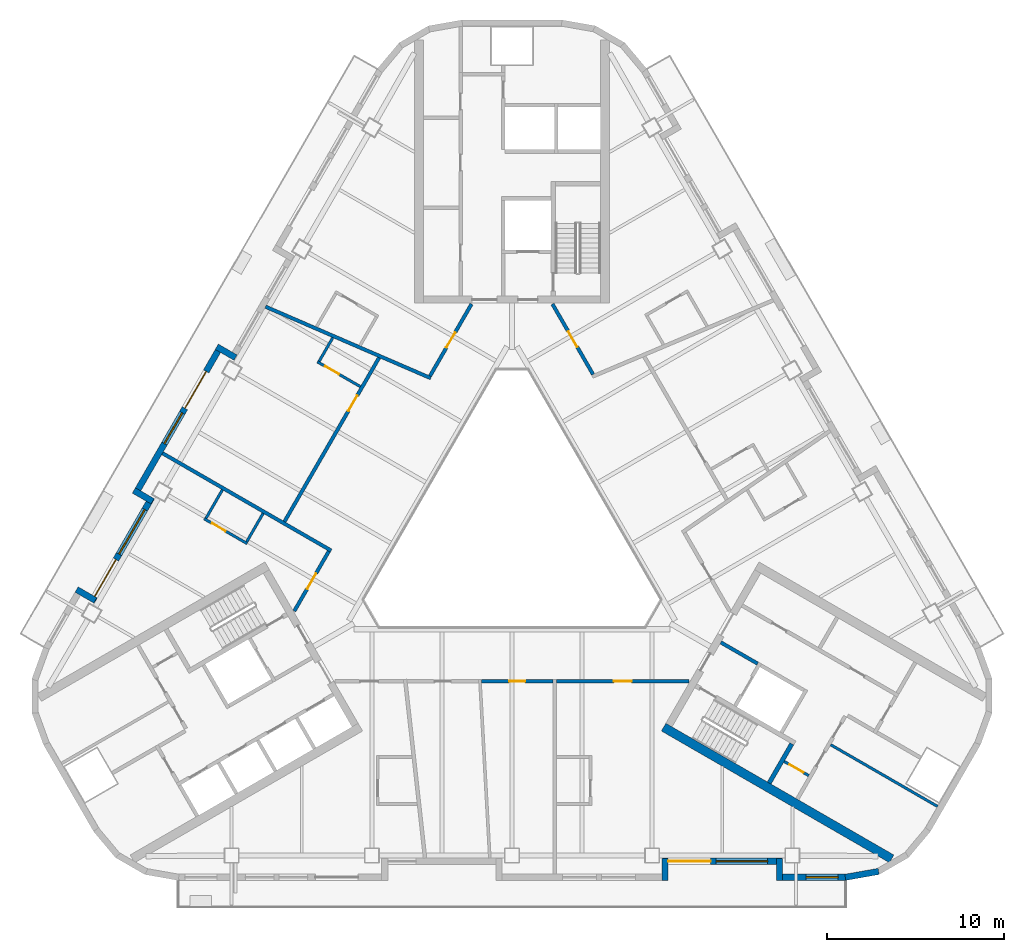
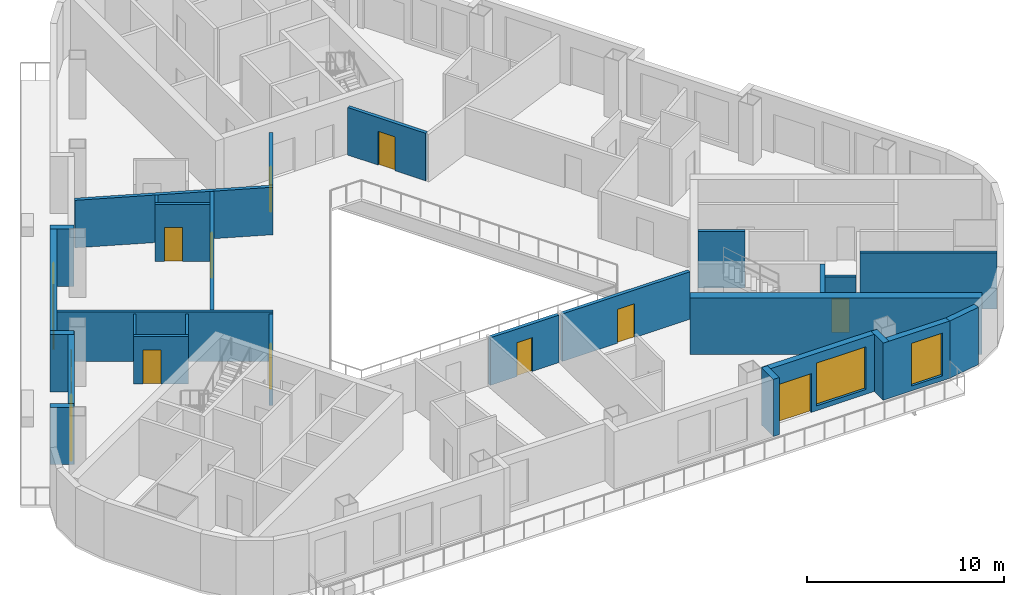
# One storey, part 4 of 13: 28 walls, 12 doors, 4 windows, 16 openings.
"""IFC4 building model written with IfcOpenShell, lengths in metres."""

from ifc_helpers import new_model, si_unit, direction, frame, frame_2d, origin, place, context, subcontext, project, spatial, rectangle, extrude, material, layer, layer_set, type_object, element, fill, save


model = new_model("IFC4")

# Units and contexts
model_context = context("Model", 3, precision=1e-05, world=origin(), true_north=direction((0.0, 1.0)))
body_context = subcontext(model_context, "Body", "Model", "MODEL_VIEW")
ifc_project = project(units=[si_unit("LENGTHUNIT", "METRE"), si_unit("AREAUNIT", "SQUARE_METRE"), si_unit("VOLUMEUNIT", "CUBIC_METRE"), si_unit("PLANEANGLEUNIT", "RADIAN"), si_unit("MASSUNIT", "GRAM", prefix="KILO")], contexts=[model_context])

# Site, building, storey
site_placement = place(None, origin())
site = spatial("IfcSite", under=ifc_project, at=site_placement, CompositionType="ELEMENT")
building_placement = place(site_placement, origin())
building = spatial("IfcBuilding", under=site, at=building_placement, Name="Apuvela Tower Hotel", CompositionType="ELEMENT")
storey_placement = place(building_placement, frame((0.0, 0.0, 165.10009765625)))
storey = spatial("IfcBuildingStorey", under=building, at=storey_placement, Name="L39", CompositionType="ELEMENT", Elevation=165.10009765625)

# Wall
ifc_material_1 = material(Name="Concrete C50/60", Category="concrete")
ifc_layer_1 = layer(ifc_material_1, 0.5)
ifc_layer_set_1 = layer_set([ifc_layer_1], Name="COR-WALL-CORE-500")
wall_type_1 = type_object("IfcWallType", Name="COR-WALL-CORE-500", PredefinedType="SHEAR", material=ifc_layer_set_1)
wall_1_placement = place(storey_placement, frame((8.546630859375, -10.99658203125, 0.0), z_axis=(0.0, 0.0, 1.0), x_axis=(0.866025009528, -0.500000682871, 0.0)))
element("IfcWall", 1, at=wall_1_placement, inside=storey, type_object=wall_type_1, Name="Core wall SE", PredefinedType="SHEAR", context=body_context, shape_type="SweptSolid", body=[
    extrude(rectangle(XDim=14.8369140625, YDim=0.5, at=frame_2d((7.41845703125, 0.0))), origin(), (0.0, 0.0, 1.0), 3.5),
])

# Wall, opening, door
ifc_material_2 = material(Name="Blockwork 150 mm plastered", Category="masonry")
ifc_layer_2 = layer(ifc_material_2, 0.14990234375)
ifc_layer_set_2 = layer_set([ifc_layer_2], Name="COR-WALL-PART-150")
wall_type_2 = type_object("IfcWallType", Name="COR-WALL-PART-150", PredefinedType="PARTITIONING", material=ifc_layer_set_2)
wall_2_placement = place(storey_placement, frame((15.341552734375, -12.927734375, 0.0), z_axis=(0.0, 0.0, 1.0), x_axis=(0.865989903783, -0.500061482766, 0.0)))
wall_2 = element("IfcWall", 2, at=wall_2_placement, inside=storey, type_object=wall_type_2, Name="Partition SE", PredefinedType="PARTITIONING", context=body_context, shape_type="SweptSolid", body=[
    extrude(rectangle(XDim=1.599853515625, YDim=0.14990234375, at=frame_2d((0.7998046875, 0.0))), origin(), (0.0, 0.0, 1.0), 3.5),
])
opening_1_placement = place(wall_2_placement, frame((0.35009765625, 0.0, 0.0)))
opening_1 = element("IfcOpeningElement", 3, at=opening_1_placement, cuts=wall_2, Name="Opening E-RD", PredefinedType="OPENING", context=body_context, shape_type="SweptSolid", body=[
    extrude(rectangle(XDim=0.89990234375, YDim=2.10009765625, at=frame_2d((0.449951171875, 1.050048828125))), frame((0.0, 0.0849609375, 0.0), z_axis=(0.0, -1.0, 0.0), x_axis=(1.0, 0.0, 0.0)), (0.0, 0.0, 1.0), 0.169921875),
])
ifc_material_3 = material(Name="Steel access door, powder coated", Category="steel")
door_type_1 = type_object("IfcDoorType", Name="COR-RD-900", OperationType="NOTDEFINED", PredefinedType="DOOR", material=ifc_material_3)
door_1_placement = place(opening_1_placement, frame((0.89990234375, 0.0, 0.0), z_axis=(0.0, 0.0, 1.0), x_axis=(-1.0, 0.0, 0.0)))
door_1 = element("IfcDoor", 4, at=door_1_placement, inside=storey, type_object=door_type_1, Name="Riser door E-RD", OperationType="SINGLE_SWING_LEFT", OverallHeight=2.10009765625, OverallWidth=0.89990234375, PredefinedType="DOOR", context=body_context, shape_type="SweptSolid", body=[
    extrude(rectangle(XDim=0.89990234375, YDim=2.10009765625, at=frame_2d((0.449951171875, 1.050048828125))), frame((0.0, 0.02490234375, 0.0), z_axis=(0.0, -1.0, 0.0), x_axis=(1.0, 0.0, 0.0)), (0.0, 0.0, 1.0), 0.050048828125),
])
fill(opening_1, door_1)

# Walls
wall_3_placement = place(storey_placement, frame((17.962890625, -11.9873046875, 0.0), z_axis=(0.0, 0.0, 1.0), x_axis=(0.866016523273, -0.500015381182, 0.0)))
element("IfcWall", 5, at=wall_3_placement, inside=storey, type_object=wall_type_2, Name="Partition SE", PredefinedType="PARTITIONING", context=body_context, shape_type="SweptSolid", body=[
    extrude(rectangle(XDim=6.949951171875, YDim=0.14990234375, at=frame_2d((3.47509765625, 0.0))), origin(), (0.0, 0.0, 1.0), 3.5),
])
ifc_layer_3 = layer(ifc_material_1, 0.199951171875)
ifc_layer_set_3 = layer_set([ifc_layer_3], Name="COR-WALL-SHAFT-200")
wall_type_3 = type_object("IfcWallType", Name="COR-WALL-SHAFT-200", PredefinedType="SHEAR", material=ifc_layer_set_3)
wall_4_placement = place(storey_placement, frame((11.76806640625, -6.217041015625, 0.0), z_axis=(0.0, 0.0, 1.0), x_axis=(0.866050077142, -0.499957262057, 0.0)))
element("IfcWall", 6, at=wall_4_placement, inside=storey, type_object=wall_type_3, Name="Shaft wall SE", PredefinedType="SHEAR", context=body_context, shape_type="SweptSolid", body=[
    extrude(rectangle(XDim=2.400146484375, YDim=0.199951171875, at=frame_2d((1.2001953125, 0.0))), origin(), (0.0, 0.0, 1.0), 3.5),
])
ifc_layer_4 = layer(ifc_material_1, 0.25)
ifc_layer_set_4 = layer_set([ifc_layer_4], Name="COR-WALL-STAIR-250")
wall_type_4 = type_object("IfcWallType", Name="COR-WALL-STAIR-250", PredefinedType="SHEAR", material=ifc_layer_set_4)
wall_5_placement = place(storey_placement, frame((14.49560546875, -14.142578125, 0.0), z_axis=(0.0, 0.0, 1.0), x_axis=(0.500062241894, 0.865989465428, 0.0)))
element("IfcWall", 7, at=wall_5_placement, inside=storey, type_object=wall_type_4, Name="Stair wall SE", PredefinedType="SHEAR", context=body_context, shape_type="SweptSolid", body=[
    extrude(rectangle(XDim=2.550048828125, YDim=0.25, at=frame_2d((1.27490234375, 0.0))), origin(), (0.0, 0.0, 1.0), 3.5),
])
ifc_material_4 = material(Name="Concrete C40/50, dark pigmented precast panel", Category="concrete")
ifc_layer_5 = layer(ifc_material_4, 0.35009765625)
ifc_layer_set_5 = layer_set([ifc_layer_5], Name="ENV-WALL-350")
wall_type_5 = type_object("IfcWallType", Name="ENV-WALL-350", PredefinedType="SOLIDWALL", material=ifc_layer_set_5)
wall_6_placement = place(storey_placement, frame((-15.580810546875, 9.8330078125, 0.0), z_axis=(0.0, 0.0, 1.0), x_axis=(-0.866055662726, 0.499947586314, 0.0)))
element("IfcWall", 8, at=wall_6_placement, inside=storey, type_object=wall_type_5, Name="External wall L39-04", PredefinedType="SOLIDWALL", context=body_context, shape_type="SweptSolid", body=[
    extrude(rectangle(XDim=1.220458984375, YDim=0.35009765625, at=frame_2d((0.6103515625, 0.0))), origin(), (0.0, 0.0, 1.0), 3.5498046875),
])

# Wall, openings, door, window
wall_7_placement = place(storey_placement, frame((-16.3984375, 10.507080078125, 0.0), z_axis=(0.0, 0.0, 1.0), x_axis=(-0.499999142773, -0.866025898704, 0.0)))
wall_7 = element("IfcWall", 9, at=wall_7_placement, inside=storey, type_object=wall_type_5, Name="External wall L39-05", PredefinedType="SOLIDWALL", context=body_context, shape_type="SweptSolid", body=[
    extrude(rectangle(XDim=9.7001953125, YDim=0.35009765625, at=frame_2d((4.85009765625, 0.0))), origin(), (0.0, 0.0, 1.0), 3.5498046875),
])
opening_2_placement = place(wall_7_placement, frame((1.67529296875, 0.0, 0.0)))
opening_2 = element("IfcOpeningElement", 10, at=opening_2_placement, cuts=wall_7, Name="Opening BD24", PredefinedType="OPENING", context=body_context, shape_type="SweptSolid", body=[
    extrude(rectangle(XDim=2.39990234375, YDim=2.39990234375, at=frame_2d((1.199951171875, 1.199951171875))), frame((0.0, 0.18505859375, 0.0), z_axis=(0.0, -1.0, 0.0), x_axis=(1.0, 0.0, 0.0)), (0.0, 0.0, 1.0), 0.3701171875),
])
opening_3_placement = place(wall_7_placement, frame((4.37548828125, 0.0, 0.300048828125)))
opening_3 = element("IfcOpeningElement", 11, at=opening_3_placement, cuts=wall_7, Name="Opening WN20", PredefinedType="OPENING", context=body_context, shape_type="SweptSolid", body=[
    extrude(rectangle(XDim=2.0, YDim=2.64990234375, at=frame_2d((1.0, 1.324951171875))), frame((0.0, 0.18505859375, 0.0), z_axis=(0.0, -1.0, 0.0), x_axis=(1.0, 0.0, 0.0)), (0.0, 0.0, 1.0), 0.3701171875),
])
ifc_material_5 = material(Name="Aluminium 6063-T6, dark bronze anodised frame with dark tinted laminated glass", Category="aluminium")
door_type_2 = type_object("IfcDoorType", Name="ENV-DOOR-BALCONY-2400x2400", OperationType="SLIDING_TO_LEFT", PredefinedType="DOOR", material=ifc_material_5)
door_2_placement = place(opening_2_placement, frame((2.39990234375, 0.0, 0.0), z_axis=(0.0, 0.0, 1.0), x_axis=(-1.0, 0.0, 0.0)))
door_2 = element("IfcDoor", 12, at=door_2_placement, inside=storey, type_object=door_type_2, Name="Balcony door BD24", OperationType="SLIDING_TO_LEFT", OverallHeight=2.39990234375, OverallWidth=2.39990234375, PredefinedType="DOOR", context=body_context, shape_type="SweptSolid", body=[
    extrude(rectangle(XDim=2.39990234375, YDim=2.39990234375, at=frame_2d((1.199951171875, 1.199951171875))), frame((0.0, 0.02490234375, 0.0), z_axis=(0.0, -1.0, 0.0), x_axis=(1.0, 0.0, 0.0)), (0.0, 0.0, 1.0), 0.050048828125),
])
fill(opening_2, door_2)
ifc_material_6 = material(Name="Glass, dark tinted laminated insulated glazing unit", Category="glass")
window_type_1 = type_object("IfcWindowType", Name="ENV-WIN-2000x2650", PartitioningType="SINGLE_PANEL", PredefinedType="WINDOW", material=ifc_material_6)
window_1_placement = place(opening_3_placement, origin())
window_1 = element("IfcWindow", 13, at=window_1_placement, inside=storey, type_object=window_type_1, Name="Window WN20", OverallHeight=2.64990234375, OverallWidth=2.0, PartitioningType="SINGLE_PANEL", PredefinedType="WINDOW", context=body_context, shape_type="SweptSolid", body=[
    extrude(rectangle(XDim=2.0, YDim=2.64990234375, at=frame_2d((1.0, 1.324951171875))), frame((0.0, 0.030029296875, 0.0), z_axis=(0.0, -1.0, 0.0), x_axis=(1.0, 0.0, 0.0)), (0.0, 0.0, 1.0), 0.06005859375),
])
fill(opening_3, window_1)

# Wall
wall_8_placement = place(storey_placement, frame((-21.3125, 2.345703125, 0.0), z_axis=(0.0, 0.0, 1.0), x_axis=(0.866005645448, -0.500034220881, 0.0)))
element("IfcWall", 14, at=wall_8_placement, inside=storey, type_object=wall_type_5, Name="External wall L39-06", PredefinedType="SOLIDWALL", context=body_context, shape_type="SweptSolid", body=[
    extrude(rectangle(XDim=1.22021484375, YDim=0.35009765625, at=frame_2d((0.610107421875, 0.0))), origin(), (0.0, 0.0, 1.0), 3.5498046875),
])

# Wall, openings, door, window
wall_9_placement = place(storey_placement, frame((-20.30908203125, 1.93359375, 0.0), z_axis=(0.0, 0.0, 1.0), x_axis=(-0.499992114976, -0.866029956157, 0.0)))
wall_9 = element("IfcWall", 15, at=wall_9_placement, inside=storey, type_object=wall_type_5, Name="External wall L39-07", PredefinedType="SOLIDWALL", context=body_context, shape_type="SweptSolid", body=[
    extrude(rectangle(XDim=6.73974609375, YDim=0.35009765625, at=frame_2d((3.369873046875, 0.0))), origin(), (0.0, 0.0, 1.0), 3.5498046875),
])
opening_4_placement = place(wall_9_placement, frame((4.02001953125, 0.0, 0.0)))
opening_4 = element("IfcOpeningElement", 16, at=opening_4_placement, cuts=wall_9, Name="Opening BD24", PredefinedType="OPENING", context=body_context, shape_type="SweptSolid", body=[
    extrude(rectangle(XDim=2.39990234375, YDim=2.39990234375, at=frame_2d((1.199951171875, 1.199951171875))), frame((0.0, 0.18505859375, 0.0), z_axis=(0.0, -1.0, 0.0), x_axis=(1.0, 0.0, 0.0)), (0.0, 0.0, 1.0), 0.3701171875),
])
opening_5_placement = place(wall_9_placement, frame((0.77001953125, 0.0, 0.300048828125)))
opening_5 = element("IfcOpeningElement", 17, at=opening_5_placement, cuts=wall_9, Name="Opening WN29", PredefinedType="OPENING", context=body_context, shape_type="SweptSolid", body=[
    extrude(rectangle(XDim=2.89990234375, YDim=2.64990234375, at=frame_2d((1.449951171875, 1.324951171875))), frame((0.0, 0.18505859375, 0.0), z_axis=(0.0, -1.0, 0.0), x_axis=(1.0, 0.0, 0.0)), (0.0, 0.0, 1.0), 0.3701171875),
])
door_3_placement = place(opening_4_placement, frame((2.39990234375, 0.0, 0.0), z_axis=(0.0, 0.0, 1.0), x_axis=(-1.0, 0.0, 0.0)))
door_3 = element("IfcDoor", 18, at=door_3_placement, inside=storey, type_object=door_type_2, Name="Balcony door BD24", OperationType="SLIDING_TO_LEFT", OverallHeight=2.39990234375, OverallWidth=2.39990234375, PredefinedType="DOOR", context=body_context, shape_type="SweptSolid", body=[
    extrude(rectangle(XDim=2.39990234375, YDim=2.39990234375, at=frame_2d((1.199951171875, 1.199951171875))), frame((0.0, 0.02490234375, 0.0), z_axis=(0.0, -1.0, 0.0), x_axis=(1.0, 0.0, 0.0)), (0.0, 0.0, 1.0), 0.050048828125),
])
fill(opening_4, door_3)
window_type_2 = type_object("IfcWindowType", Name="ENV-WIN-2900x2650", PartitioningType="SINGLE_PANEL", PredefinedType="WINDOW", material=ifc_material_6)
window_2_placement = place(opening_5_placement, origin())
window_2 = element("IfcWindow", 19, at=window_2_placement, inside=storey, type_object=window_type_2, Name="Window WN29", OverallHeight=2.64990234375, OverallWidth=2.89990234375, PartitioningType="SINGLE_PANEL", PredefinedType="WINDOW", context=body_context, shape_type="SweptSolid", body=[
    extrude(rectangle(XDim=2.89990234375, YDim=2.64990234375, at=frame_2d((1.449951171875, 1.324951171875))), frame((0.0, 0.030029296875, 0.0), z_axis=(0.0, -1.0, 0.0), x_axis=(1.0, 0.0, 0.0)), (0.0, 0.0, 1.0), 0.06005859375),
])
fill(opening_5, window_2)

# Walls
for number, where, z_axis, x_axis, name in (
    (20, (-23.48095703125, -3.85009765625, 0.0), (0.0, 0.0, 1.0), (-0.866092288191, 0.499884134912, 0.0), "External wall L39-08"),
    (21, (8.625, -19.6298828125, 0.0), (0.0, 0.0, 1.0), (0.0, 1.0, 0.0), "External wall L39-22"),
):
    element("IfcWall", number, at=place(storey_placement, frame(where, z_axis=z_axis, x_axis=x_axis)), inside=storey, type_object=wall_type_5, Name=name, PredefinedType="SOLIDWALL", context=body_context, shape_type="SweptSolid", body=[
        extrude(rectangle(XDim=1.219970703125, YDim=0.35009765625, at=frame_2d((0.60986328125, 0.0))), origin(), (0.0, 0.0, 1.0), 3.5498046875),
    ])

# Wall, openings, door, window
wall_10_placement = place(storey_placement, frame((8.47998046875, -18.554931640625, 0.0), z_axis=(0.0, 0.0, 1.0), x_axis=(1.0, 0.0, 0.0)))
wall_10 = element("IfcWall", 22, at=wall_10_placement, inside=storey, type_object=wall_type_5, Name="External wall L39-23", PredefinedType="SOLIDWALL", context=body_context, shape_type="SweptSolid", body=[
    extrude(rectangle(XDim=6.739990234375, YDim=0.35009765625, at=frame_2d((3.3701171875, 0.0))), origin(), (0.0, 0.0, 1.0), 3.5498046875),
])
opening_6_placement = place(wall_10_placement, frame((0.3203125, 0.0, 0.0)))
opening_6 = element("IfcOpeningElement", 23, at=opening_6_placement, cuts=wall_10, Name="Opening BD24", PredefinedType="OPENING", context=body_context, shape_type="SweptSolid", body=[
    extrude(rectangle(XDim=2.39990234375, YDim=2.39990234375, at=frame_2d((1.199951171875, 1.199951171875))), frame((0.0, 0.18505859375, 0.0), z_axis=(0.0, -1.0, 0.0), x_axis=(1.0, 0.0, 0.0)), (0.0, 0.0, 1.0), 0.3701171875),
])
opening_7_placement = place(wall_10_placement, frame((3.020263671875, 0.0, 0.300048828125)))
opening_7 = element("IfcOpeningElement", 24, at=opening_7_placement, cuts=wall_10, Name="Opening WN29", PredefinedType="OPENING", context=body_context, shape_type="SweptSolid", body=[
    extrude(rectangle(XDim=2.89990234375, YDim=2.64990234375, at=frame_2d((1.449951171875, 1.324951171875))), frame((0.0, 0.18505859375, 0.0), z_axis=(0.0, -1.0, 0.0), x_axis=(1.0, 0.0, 0.0)), (0.0, 0.0, 1.0), 0.3701171875),
])
door_4_placement = place(opening_6_placement, frame((2.39990234375, 0.0, 0.0), z_axis=(0.0, 0.0, 1.0), x_axis=(-1.0, 0.0, 0.0)))
door_4 = element("IfcDoor", 25, at=door_4_placement, inside=storey, type_object=door_type_2, Name="Balcony door BD24", OperationType="SLIDING_TO_LEFT", OverallHeight=2.39990234375, OverallWidth=2.39990234375, PredefinedType="DOOR", context=body_context, shape_type="SweptSolid", body=[
    extrude(rectangle(XDim=2.39990234375, YDim=2.39990234375, at=frame_2d((1.199951171875, 1.199951171875))), frame((0.0, 0.02490234375, 0.0), z_axis=(0.0, -1.0, 0.0), x_axis=(1.0, 0.0, 0.0)), (0.0, 0.0, 1.0), 0.050048828125),
])
fill(opening_6, door_4)
window_3_placement = place(opening_7_placement, origin())
window_3 = element("IfcWindow", 26, at=window_3_placement, inside=storey, type_object=window_type_2, Name="Window WN29", OverallHeight=2.64990234375, OverallWidth=2.89990234375, PartitioningType="SINGLE_PANEL", PredefinedType="WINDOW", context=body_context, shape_type="SweptSolid", body=[
    extrude(rectangle(XDim=2.89990234375, YDim=2.64990234375, at=frame_2d((1.449951171875, 1.324951171875))), frame((0.0, 0.030029296875, 0.0), z_axis=(0.0, -1.0, 0.0), x_axis=(1.0, 0.0, 0.0)), (0.0, 0.0, 1.0), 0.06005859375),
])
fill(opening_7, window_3)

# Wall
wall_11_placement = place(storey_placement, frame((15.074951171875, -18.409912109375, 0.0), z_axis=(0.0, 0.0, 1.0), x_axis=(0.0, -1.0, 0.0)))
element("IfcWall", 27, at=wall_11_placement, inside=storey, type_object=wall_type_5, Name="External wall L39-24", PredefinedType="SOLIDWALL", context=body_context, shape_type="SweptSolid", body=[
    extrude(rectangle(XDim=1.219970703125, YDim=0.35009765625, at=frame_2d((0.60986328125, 0.0))), origin(), (0.0, 0.0, 1.0), 3.5498046875),
])

# Wall, opening, window
wall_12_placement = place(storey_placement, frame((14.89990234375, -19.455078125, 0.0), z_axis=(0.0, 0.0, 1.0), x_axis=(1.0, 0.0, 0.0)))
wall_12 = element("IfcWall", 28, at=wall_12_placement, inside=storey, type_object=wall_type_5, Name="External wall L39-25", PredefinedType="SOLIDWALL", context=body_context, shape_type="SweptSolid", body=[
    extrude(rectangle(XDim=3.916015625, YDim=0.35009765625, at=frame_2d((1.9580078125, 0.0))), origin(), (0.0, 0.0, 1.0), 3.5498046875),
])
opening_8_placement = place(wall_12_placement, frame((1.674560546875, 0.0, 0.300048828125)))
opening_8 = element("IfcOpeningElement", 29, at=opening_8_placement, cuts=wall_12, Name="Opening WN18", PredefinedType="OPENING", context=body_context, shape_type="SweptSolid", body=[
    extrude(rectangle(XDim=1.800048828125, YDim=2.64990234375, at=frame_2d((0.89990234375, 1.324951171875))), frame((0.0, 0.18505859375, 0.0), z_axis=(0.0, -1.0, 0.0), x_axis=(1.0, 0.0, 0.0)), (0.0, 0.0, 1.0), 0.3701171875),
])
window_type_3 = type_object("IfcWindowType", Name="ENV-WIN-1800x2650", PartitioningType="SINGLE_PANEL", PredefinedType="WINDOW", material=ifc_material_6)
window_4_placement = place(opening_8_placement, origin())
window_4 = element("IfcWindow", 30, at=window_4_placement, inside=storey, type_object=window_type_3, Name="Window WN18", OverallHeight=2.64990234375, OverallWidth=1.800048828125, PartitioningType="SINGLE_PANEL", PredefinedType="WINDOW", context=body_context, shape_type="SweptSolid", body=[
    extrude(rectangle(XDim=1.800048828125, YDim=2.64990234375, at=frame_2d((0.89990234375, 1.324951171875))), frame((0.0, 0.030029296875, 0.0), z_axis=(0.0, -1.0, 0.0), x_axis=(1.0, 0.0, 0.0)), (0.0, 0.0, 1.0), 0.06005859375),
])
fill(opening_8, window_4)

# Walls
wall_13_placement = place(storey_placement, frame((18.785400390625, -19.457763671875, 0.0), z_axis=(0.0, 0.0, 1.0), x_axis=(0.984798995425, 0.173697837091, 0.0)))
element("IfcWall", 31, at=wall_13_placement, inside=storey, type_object=wall_type_5, Name="External wall L39-26", PredefinedType="SOLIDWALL", context=body_context, shape_type="SweptSolid", body=[
    extrude(rectangle(XDim=1.91015625, YDim=0.35009765625, at=frame_2d((0.955078125, 0.0))), origin(), (0.0, 0.0, 1.0), 3.5498046875),
])
ifc_material_7 = material(Name="Gypsum board partition on twin steel stud", Category="steel")
ifc_layer_6 = layer(ifc_material_7, 0.199951171875)
ifc_layer_set_6 = layer_set([ifc_layer_6], Name="GST-PW1")
wall_type_6 = type_object("IfcWallType", Name="GST-PW1", PredefinedType="PARTITIONING", material=ifc_layer_set_6)
wall_14_placement = place(storey_placement, frame((-13.890380859375, 12.701171875, 0.0), z_axis=(0.0, 0.0, 1.0), x_axis=(0.917850876745, -0.396925393566, 0.0)))
element("IfcWall", 32, at=wall_14_placement, inside=storey, type_object=wall_type_6, Name="L39 partition 05", PredefinedType="PARTITIONING", context=body_context, shape_type="SweptSolid", body=[
    extrude(rectangle(XDim=10.1474609375, YDim=0.199951171875, at=frame_2d((5.07373046875, 0.0))), origin(), (0.0, 0.0, 1.0), 2.949951171875),
])
wall_15_placement = place(storey_placement, frame((-19.697021484375, 4.44384765625, 0.0), z_axis=(0.0, 0.0, 1.0), x_axis=(0.866027479907, -0.499996404033, 0.0)))
element("IfcWall", 33, at=wall_15_placement, inside=storey, type_object=wall_type_6, Name="L39 partition 06", PredefinedType="PARTITIONING", context=body_context, shape_type="SweptSolid", body=[
    extrude(rectangle(XDim=10.97998046875, YDim=0.199951171875, at=frame_2d((5.489990234375, 0.0))), origin(), (0.0, 0.0, 1.0), 3.059814453125),
])

# Wall, opening, door
ifc_material_8 = material(Name="Gypsum board corridor wall on twin steel stud, acoustic", Category="steel")
ifc_layer_7 = layer(ifc_material_8, 0.199951171875)
ifc_layer_set_7 = layer_set([ifc_layer_7], Name="GST-PW2")
wall_type_7 = type_object("IfcWallType", Name="GST-PW2", PredefinedType="PARTITIONING", material=ifc_layer_set_7)
wall_16_placement = place(storey_placement, frame((2.300048828125, -8.39990234375, 0.0), z_axis=(0.0, 0.0, 1.0), x_axis=(-1.0, 0.0, 0.0)))
wall_16 = element("IfcWall", 34, at=wall_16_placement, inside=storey, type_object=wall_type_7, Name="L39 partition 13", PredefinedType="PARTITIONING", context=body_context, shape_type="SweptSolid", body=[
    extrude(rectangle(XDim=4.03076171875, YDim=0.199951171875, at=frame_2d((2.015380859375, 0.0))), origin(), (0.0, 0.0, 1.0), 2.949951171875),
])
opening_9_placement = place(wall_16_placement, frame((1.565185546875, 0.0, 0.0)))
opening_9 = element("IfcOpeningElement", 35, at=opening_9_placement, cuts=wall_16, Name="Opening GD14-04", PredefinedType="OPENING", context=body_context, shape_type="SweptSolid", body=[
    extrude(rectangle(XDim=0.89990234375, YDim=2.10009765625, at=frame_2d((0.449951171875, 1.050048828125))), frame((0.0, 0.10986328125, 0.0), z_axis=(0.0, -1.0, 0.0), x_axis=(1.0, 0.0, 0.0)), (0.0, 0.0, 1.0), 0.219970703125),
])
ifc_material_9 = material(Name="Timber door leaf in steel frame", Category="steel")
door_type_3 = type_object("IfcDoorType", Name="GST-D2", OperationType="NOTDEFINED", PredefinedType="DOOR", material=ifc_material_9)
door_5_placement = place(opening_9_placement, origin())
door_5 = element("IfcDoor", 36, at=door_5_placement, inside=storey, type_object=door_type_3, Name="Door L39-04", OperationType="SINGLE_SWING_RIGHT", OverallHeight=2.10009765625, OverallWidth=0.89990234375, PredefinedType="DOOR", context=body_context, shape_type="SweptSolid", body=[
    extrude(rectangle(XDim=0.89990234375, YDim=2.10009765625, at=frame_2d((0.449951171875, 1.050048828125))), frame((0.0, 0.02490234375, 0.0), z_axis=(0.0, -1.0, 0.0), x_axis=(1.0, 0.0, 0.0)), (0.0, 0.0, 1.0), 0.050048828125),
])
fill(opening_9, door_5)

wall_17_placement = place(storey_placement, frame((9.98828125, -8.39990234375, 0.0), z_axis=(0.0, 0.0, 1.0), x_axis=(-1.0, 0.0, 0.0)))
wall_17 = element("IfcWall", 37, at=wall_17_placement, inside=storey, type_object=wall_type_7, Name="L39 partition 14", PredefinedType="PARTITIONING", context=body_context, shape_type="SweptSolid", body=[
    extrude(rectangle(XDim=7.48828125, YDim=0.199951171875, at=frame_2d((3.744140625, 0.0))), origin(), (0.0, 0.0, 1.0), 2.949951171875),
])
opening_10_placement = place(wall_17_placement, frame((3.244140625, 0.0, 0.0)))
opening_10 = element("IfcOpeningElement", 38, at=opening_10_placement, cuts=wall_17, Name="Opening GD14-06", PredefinedType="OPENING", context=body_context, shape_type="SweptSolid", body=[
    extrude(rectangle(XDim=1.0, YDim=2.10009765625, at=frame_2d((0.5, 1.050048828125))), frame((0.0, 0.10986328125, 0.0), z_axis=(0.0, -1.0, 0.0), x_axis=(1.0, 0.0, 0.0)), (0.0, 0.0, 1.0), 0.219970703125),
])
door_type_4 = type_object("IfcDoorType", Name="GST-D1", OperationType="NOTDEFINED", PredefinedType="DOOR", material=ifc_material_9)
door_6_placement = place(opening_10_placement, origin())
door_6 = element("IfcDoor", 39, at=door_6_placement, inside=storey, type_object=door_type_4, Name="Door L39-06", OperationType="SINGLE_SWING_RIGHT", OverallHeight=2.10009765625, OverallWidth=1.0, PredefinedType="DOOR", context=body_context, shape_type="SweptSolid", body=[
    extrude(rectangle(XDim=1.0, YDim=2.10009765625, at=frame_2d((0.5, 1.050048828125))), frame((0.0, 0.02490234375, 0.0), z_axis=(0.0, -1.0, 0.0), x_axis=(1.0, 0.0, 0.0)), (0.0, 0.0, 1.0), 0.050048828125),
])
fill(opening_10, door_6)

wall_18_placement = place(storey_placement, frame((2.280517578125, 12.85009765625, 0.0), z_axis=(0.0, 0.0, 1.0), x_axis=(0.500030411023, -0.86600784526, 0.0)))
wall_18 = element("IfcWall", 40, at=wall_18_placement, inside=storey, type_object=wall_type_7, Name="L39 partition 25", PredefinedType="PARTITIONING", context=body_context, shape_type="SweptSolid", body=[
    extrude(rectangle(XDim=4.574951171875, YDim=0.199951171875, at=frame_2d((2.28759765625, 0.0))), origin(), (0.0, 0.0, 1.0), 2.949951171875),
])
opening_11_placement = place(wall_18_placement, frame((1.787353515625, 0.0, 0.0)))
opening_11 = element("IfcOpeningElement", 41, at=opening_11_placement, cuts=wall_18, Name="Opening GD14-12", PredefinedType="OPENING", context=body_context, shape_type="SweptSolid", body=[
    extrude(rectangle(XDim=1.0, YDim=2.10009765625, at=frame_2d((0.5, 1.050048828125))), frame((0.0, 0.10986328125, 0.0), z_axis=(0.0, -1.0, 0.0), x_axis=(1.0, 0.0, 0.0)), (0.0, 0.0, 1.0), 0.219970703125),
])
door_7_placement = place(opening_11_placement, origin())
door_7 = element("IfcDoor", 42, at=door_7_placement, inside=storey, type_object=door_type_4, Name="Door L39-12", OperationType="SINGLE_SWING_RIGHT", OverallHeight=2.10009765625, OverallWidth=1.0, PredefinedType="DOOR", context=body_context, shape_type="SweptSolid", body=[
    extrude(rectangle(XDim=1.0, YDim=2.10009765625, at=frame_2d((0.5, 1.050048828125))), frame((0.0, 0.02490234375, 0.0), z_axis=(0.0, -1.0, 0.0), x_axis=(1.0, 0.0, 0.0)), (0.0, 0.0, 1.0), 0.050048828125),
])
fill(opening_11, door_7)

wall_19_placement = place(storey_placement, frame((-4.618408203125, 8.800537109375, 0.0), z_axis=(0.0, 0.0, 1.0), x_axis=(0.499980071345, 0.866036909293, 0.0)))
wall_19 = element("IfcWall", 43, at=wall_19_placement, inside=storey, type_object=wall_type_7, Name="L39 partition 29", PredefinedType="PARTITIONING", context=body_context, shape_type="SweptSolid", body=[
    extrude(rectangle(XDim=4.676025390625, YDim=0.199951171875, at=frame_2d((2.337890625, 0.0))), origin(), (0.0, 0.0, 1.0), 2.949951171875),
])
opening_12_placement = place(wall_19_placement, frame((1.837890625, 0.0, 0.0)))
opening_12 = element("IfcOpeningElement", 44, at=opening_12_placement, cuts=wall_19, Name="Opening GD14-14", PredefinedType="OPENING", context=body_context, shape_type="SweptSolid", body=[
    extrude(rectangle(XDim=1.0, YDim=2.10009765625, at=frame_2d((0.5, 1.050048828125))), frame((0.0, 0.10986328125, 0.0), z_axis=(0.0, -1.0, 0.0), x_axis=(1.0, 0.0, 0.0)), (0.0, 0.0, 1.0), 0.219970703125),
])
door_8_placement = place(opening_12_placement, origin())
door_8 = element("IfcDoor", 45, at=door_8_placement, inside=storey, type_object=door_type_4, Name="Door L39-14", OperationType="SINGLE_SWING_LEFT", OverallHeight=2.10009765625, OverallWidth=1.0, PredefinedType="DOOR", context=body_context, shape_type="SweptSolid", body=[
    extrude(rectangle(XDim=1.0, YDim=2.10009765625, at=frame_2d((0.5, 1.050048828125))), frame((0.0, 0.02490234375, 0.0), z_axis=(0.0, -1.0, 0.0), x_axis=(1.0, 0.0, 0.0)), (0.0, 0.0, 1.0), 0.050048828125),
])
fill(opening_12, door_8)

wall_20_placement = place(storey_placement, frame((-12.82275390625, 0.590576171875, 0.0), z_axis=(0.0, 0.0, 1.0), x_axis=(0.500005210312, 0.866022395588, 0.0)))
wall_20 = element("IfcWall", 46, at=wall_20_placement, inside=storey, type_object=wall_type_7, Name="L39 partition 33", PredefinedType="PARTITIONING", context=body_context, shape_type="SweptSolid", body=[
    extrude(rectangle(XDim=10.6630859375, YDim=0.199951171875, at=frame_2d((5.33154296875, 0.0))), origin(), (0.0, 0.0, 1.0), 2.949951171875),
])
opening_13_placement = place(wall_20_placement, frame((7.201416015625, 0.0, 0.0)))
opening_13 = element("IfcOpeningElement", 47, at=opening_13_placement, cuts=wall_20, Name="Opening GD14-16", PredefinedType="OPENING", context=body_context, shape_type="SweptSolid", body=[
    extrude(rectangle(XDim=1.0, YDim=2.10009765625, at=frame_2d((0.5, 1.050048828125))), frame((0.0, 0.10986328125, 0.0), z_axis=(0.0, -1.0, 0.0), x_axis=(1.0, 0.0, 0.0)), (0.0, 0.0, 1.0), 0.219970703125),
])
door_9_placement = place(opening_13_placement, origin())
door_9 = element("IfcDoor", 48, at=door_9_placement, inside=storey, type_object=door_type_4, Name="Door L39-16", OperationType="SINGLE_SWING_LEFT", OverallHeight=2.10009765625, OverallWidth=1.0, PredefinedType="DOOR", context=body_context, shape_type="SweptSolid", body=[
    extrude(rectangle(XDim=1.0, YDim=2.10009765625, at=frame_2d((0.5, 1.050048828125))), frame((0.0, 0.02490234375, 0.0), z_axis=(0.0, -1.0, 0.0), x_axis=(1.0, 0.0, 0.0)), (0.0, 0.0, 1.0), 0.050048828125),
])
fill(opening_13, door_9)

wall_21_placement = place(storey_placement, frame((-12.268798828125, -4.449951171875, 0.0), z_axis=(0.0, 0.0, 1.0), x_axis=(0.500008716408, 0.866020371305, 0.0)))
wall_21 = element("IfcWall", 49, at=wall_21_placement, inside=storey, type_object=wall_type_7, Name="L39 partition 36", PredefinedType="PARTITIONING", context=body_context, shape_type="SweptSolid", body=[
    extrude(rectangle(XDim=3.88818359375, YDim=0.199951171875, at=frame_2d((1.944091796875, 0.0))), origin(), (0.0, 0.0, 1.0), 2.949951171875),
])
opening_14_placement = place(wall_21_placement, frame((1.444091796875, 0.0, 0.0)))
opening_14 = element("IfcOpeningElement", 50, at=opening_14_placement, cuts=wall_21, Name="Opening GD14-18", PredefinedType="OPENING", context=body_context, shape_type="SweptSolid", body=[
    extrude(rectangle(XDim=1.0, YDim=2.10009765625, at=frame_2d((0.5, 1.050048828125))), frame((0.0, 0.10986328125, 0.0), z_axis=(0.0, -1.0, 0.0), x_axis=(1.0, 0.0, 0.0)), (0.0, 0.0, 1.0), 0.219970703125),
])
door_10_placement = place(opening_14_placement, origin())
door_10 = element("IfcDoor", 51, at=door_10_placement, inside=storey, type_object=door_type_4, Name="Door L39-18", OperationType="SINGLE_SWING_RIGHT", OverallHeight=2.10009765625, OverallWidth=1.0, PredefinedType="DOOR", context=body_context, shape_type="SweptSolid", body=[
    extrude(rectangle(XDim=1.0, YDim=2.10009765625, at=frame_2d((0.5, 1.050048828125))), frame((0.0, 0.02490234375, 0.0), z_axis=(0.0, -1.0, 0.0), x_axis=(1.0, 0.0, 0.0)), (0.0, 0.0, 1.0), 0.050048828125),
])
fill(opening_14, door_10)

ifc_material_10 = material(Name="Moisture-resistant gypsum board wet wall on steel stud", Category="steel")
ifc_layer_8 = layer(ifc_material_10, 0.14990234375)
ifc_layer_set_8 = layer_set([ifc_layer_8], Name="GST-PW3")
wall_type_8 = type_object("IfcWallType", Name="GST-PW3", PredefinedType="PARTITIONING", material=ifc_layer_set_8)
wall_22_placement = place(storey_placement, frame((-10.970947265625, 9.597900390625, 0.0), z_axis=(0.0, 0.0, 1.0), x_axis=(0.865996816683, -0.500049511043, 0.0)))
wall_22 = element("IfcWall", 52, at=wall_22_placement, inside=storey, type_object=wall_type_8, Name="L39 partition 34", PredefinedType="PARTITIONING", context=body_context, shape_type="SweptSolid", body=[
    extrude(rectangle(XDim=2.800048828125, YDim=0.14990234375, at=frame_2d((1.39990234375, 0.0))), origin(), (0.0, 0.0, 1.0), 3.5498046875),
])
opening_15_placement = place(wall_22_placement, frame((0.5, 0.0, 0.0)))
opening_15 = element("IfcOpeningElement", 53, at=opening_15_placement, cuts=wall_22, Name="Opening GD14-15", PredefinedType="OPENING", context=body_context, shape_type="SweptSolid", body=[
    extrude(rectangle(XDim=0.89990234375, YDim=2.10009765625, at=frame_2d((0.449951171875, 1.050048828125))), frame((0.0, 0.0849609375, 0.0), z_axis=(0.0, -1.0, 0.0), x_axis=(1.0, 0.0, 0.0)), (0.0, 0.0, 1.0), 0.169921875),
])
door_11_placement = place(opening_15_placement, origin())
door_11 = element("IfcDoor", 54, at=door_11_placement, inside=storey, type_object=door_type_3, Name="Door L39-15", OperationType="SINGLE_SWING_LEFT", OverallHeight=2.10009765625, OverallWidth=0.89990234375, PredefinedType="DOOR", context=body_context, shape_type="SweptSolid", body=[
    extrude(rectangle(XDim=0.89990234375, YDim=2.10009765625, at=frame_2d((0.449951171875, 1.050048828125))), frame((0.0, 0.02490234375, 0.0), z_axis=(0.0, -1.0, 0.0), x_axis=(1.0, 0.0, 0.0)), (0.0, 0.0, 1.0), 0.050048828125),
])
fill(opening_15, door_11)

# Wall
wall_23_placement = place(storey_placement, frame((-10.1015625, 10.95361328125, 0.0), z_axis=(0.0, 0.0, 1.0), x_axis=(-0.499956687145, -0.866050409029, 0.0)))
element("IfcWall", 55, at=wall_23_placement, inside=storey, type_object=wall_type_8, Name="L39 partition 35", PredefinedType="PARTITIONING", context=body_context, shape_type="SweptSolid", body=[
    extrude(rectangle(XDim=1.533935546875, YDim=0.14990234375, at=frame_2d((0.76708984375, 0.0))), origin(), (0.0, 0.0, 1.0), 2.949951171875),
])

# Wall, opening, door
wall_24_placement = place(storey_placement, frame((-17.349365234375, 0.75, 0.0), z_axis=(0.0, 0.0, 1.0), x_axis=(0.866056369097, -0.49994636267, 0.0)))
wall_24 = element("IfcWall", 56, at=wall_24_placement, inside=storey, type_object=wall_type_8, Name="L39 partition 37", PredefinedType="PARTITIONING", context=body_context, shape_type="SweptSolid", body=[
    extrude(rectangle(XDim=2.800048828125, YDim=0.14990234375, at=frame_2d((1.39990234375, 0.0))), origin(), (0.0, 0.0, 1.0), 2.949951171875),
])
opening_16_placement = place(wall_24_placement, frame((0.5, 0.0, 0.0)))
opening_16 = element("IfcOpeningElement", 57, at=opening_16_placement, cuts=wall_24, Name="Opening GD14-17", PredefinedType="OPENING", context=body_context, shape_type="SweptSolid", body=[
    extrude(rectangle(XDim=0.89990234375, YDim=2.10009765625, at=frame_2d((0.449951171875, 1.050048828125))), frame((0.0, 0.0849609375, 0.0), z_axis=(0.0, -1.0, 0.0), x_axis=(1.0, 0.0, 0.0)), (0.0, 0.0, 1.0), 0.169921875),
])
door_12_placement = place(opening_16_placement, origin())
door_12 = element("IfcDoor", 58, at=door_12_placement, inside=storey, type_object=door_type_3, Name="Door L39-17", OperationType="SINGLE_SWING_LEFT", OverallHeight=2.10009765625, OverallWidth=0.89990234375, PredefinedType="DOOR", context=body_context, shape_type="SweptSolid", body=[
    extrude(rectangle(XDim=0.89990234375, YDim=2.10009765625, at=frame_2d((0.449951171875, 1.050048828125))), frame((0.0, 0.02490234375, 0.0), z_axis=(0.0, -1.0, 0.0), x_axis=(1.0, 0.0, 0.0)), (0.0, 0.0, 1.0), 0.050048828125),
])
fill(opening_16, door_12)

# Walls
for number, where, z_axis, x_axis, name in (
    (59, (-16.32177734375, 2.379638671875, 0.0), (0.0, 0.0, 1.0), (-0.500042316284, -0.866000971088, 0.0), "L39 partition 38"),
    (60, (-14.02685546875, 1.0546875, 0.0), (0.0, 0.0, 1.0), (-0.500042316284, -0.866000971088, 0.0), "L39 partition 39"),
):
    element("IfcWall", number, at=place(storey_placement, frame(where, z_axis=z_axis, x_axis=x_axis)), inside=storey, type_object=wall_type_8, Name=name, PredefinedType="PARTITIONING", context=body_context, shape_type="SweptSolid", body=[
        extrude(rectangle(XDim=1.849853515625, YDim=0.14990234375, at=frame_2d((0.9248046875, 0.0))), origin(), (0.0, 0.0, 1.0), 2.949951171875),
    ])

save(model, "model.ifc")
